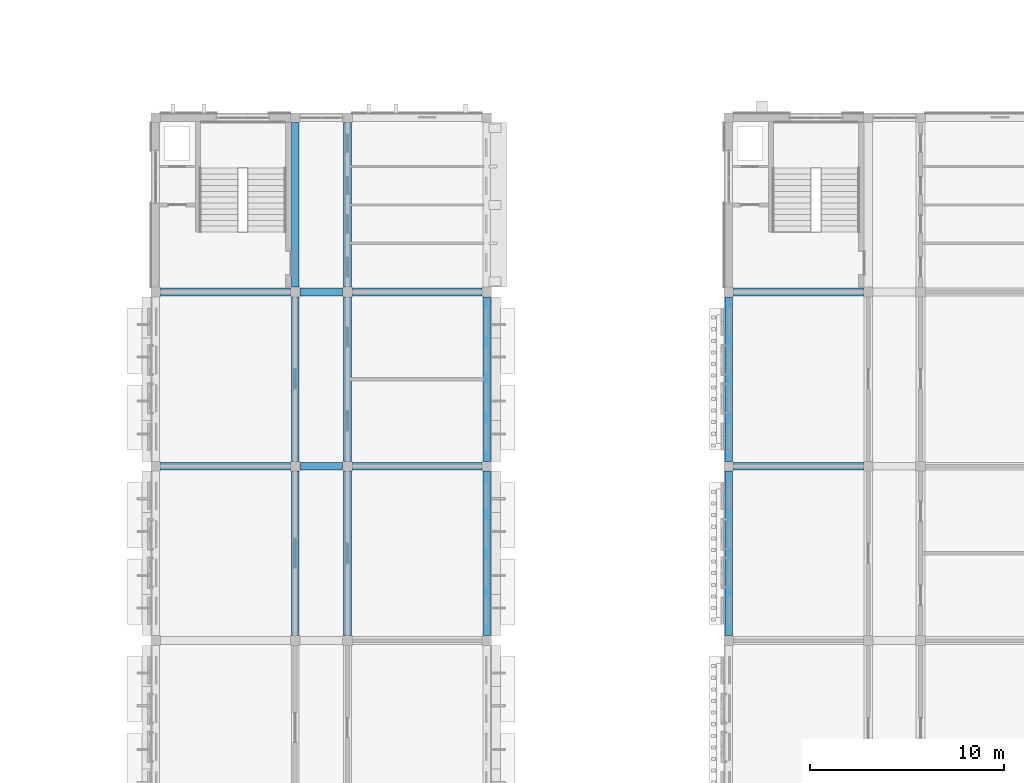
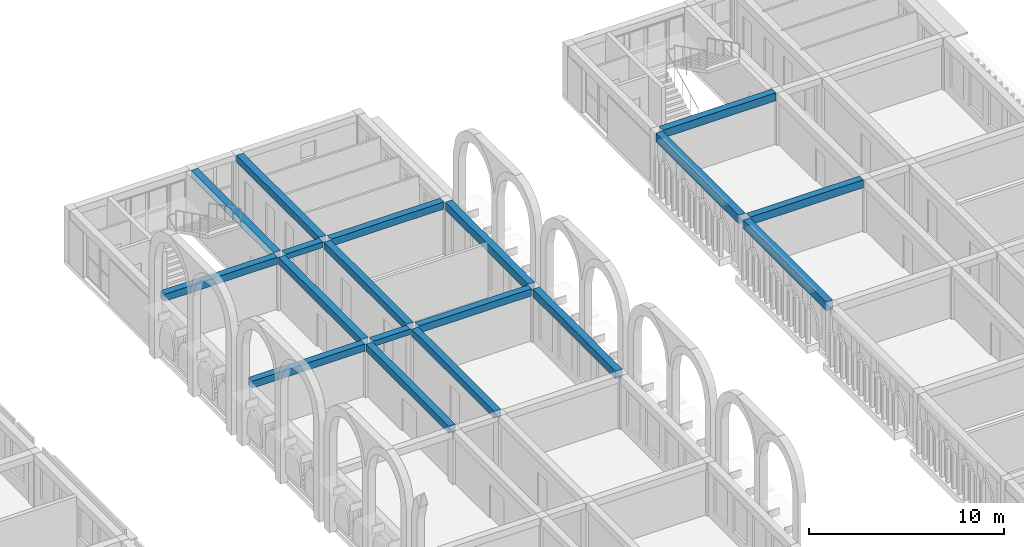
# One storey, part 20 of 70: 18 beams.
"""IFC4 building model written with IfcOpenShell, lengths in metres."""

from ifc_helpers import new_model, si_unit, direction, frame, origin, origin_2d, place, context, subcontext, project, spatial, rectangle, extrude, material, material_profile, profile_set, type_object, element, save


model = new_model("IFC4")

# Units and contexts
model_context = context("Model", 3, precision=1e-05, world=origin(), true_north=direction((0.0, 1.0)))
body_context = subcontext(model_context, "Body", "Model", "MODEL_VIEW")
ifc_project = project(units=[si_unit("LENGTHUNIT", "METRE"), si_unit("AREAUNIT", "SQUARE_METRE"), si_unit("VOLUMEUNIT", "CUBIC_METRE"), si_unit("PLANEANGLEUNIT", "RADIAN"), si_unit("MASSUNIT", "GRAM", prefix="KILO")], contexts=[model_context])

# Site, building, storey
site_placement = place(None, origin())
site = spatial("IfcSite", under=ifc_project, at=site_placement, CompositionType="ELEMENT")
building_placement = place(site_placement, origin())
building = spatial("IfcBuilding", under=site, at=building_placement, Name="Elbe Cascade School", CompositionType="ELEMENT")
storey_placement = place(building_placement, frame((0.0, 0.0, 8.10009765625)))
storey = spatial("IfcBuildingStorey", under=building, at=storey_placement, Name="L02", CompositionType="ELEMENT", Elevation=8.10009765625)

# Beams
ifc_material_1 = material(Name="Concrete C30/37", Category="concrete")
ifc_material_profile_1 = material_profile(ifc_material_1, rectangle(XDim=0.39990234375, YDim=0.35009765625, at=origin_2d()), Name="RC 400x350")
ifc_profile_set_1 = profile_set([ifc_material_profile_1], Name="Concrete C30/37")
beam_type_1 = type_object("IfcBeamType", Name="RC 400x350 beam", PredefinedType="BEAM", material=ifc_profile_set_1)
for number, where, z_axis, x_axis, name in (
    (1, (106.050048828125, 42.0, 3.1748046875), (1.0, 0.0, 0.0), (0.0, 1.0, 0.0), "RC 400x350 beam B3"),
    (2, (106.050048828125, 51.0, 3.1748046875), (1.0, 0.0, 0.0), (0.0, 1.0, 0.0), "RC 400x350 beam B3"),
):
    element("IfcBeam", number, at=place(storey_placement, frame(where, z_axis=z_axis, x_axis=x_axis)), inside=storey, type_object=beam_type_1, Name=name, PredefinedType="BEAM", context=body_context, shape_type="SweptSolid", body=[
        extrude(rectangle(XDim=0.39990234375, YDim=0.35009765625, at=origin_2d()), origin(), (0.0, 0.0, 1.0), 2.199951171875),
    ])
ifc_material_2 = material(Name="Concrete C30/37", Category="concrete")
ifc_material_profile_2 = material_profile(ifc_material_2, rectangle(XDim=0.39990234375, YDim=0.449951171875, at=origin_2d()), Name="RC 400x450")
ifc_profile_set_2 = profile_set([ifc_material_profile_2], Name="Concrete C30/37")
beam_type_2 = type_object("IfcBeamType", Name="RC 400x450 beam", PredefinedType="BEAM", material=ifc_profile_set_2)
for number, where, z_axis, x_axis, name in (
    (3, (105.800048828125, 33.25, 3.125), (0.0, 1.0, 0.0), (-1.0, 0.0, 0.0), "RC 400x450 beam B2"),
    (4, (105.800048828125, 42.25, 3.125), (0.0, 1.0, 0.0), (-1.0, 0.0, 0.0), "RC 400x450 beam B2"),
    (5, (105.800048828125, 51.25, 3.125), (0.0, 1.0, 0.0), (-1.0, 0.0, 0.0), "RC 400x450 beam B2"),
    (6, (108.5, 33.25, 3.125), (0.0, 1.0, 0.0), (-1.0, 0.0, 0.0), "RC 400x450 beam B2"),
    (7, (108.5, 42.25, 3.125), (0.0, 1.0, 0.0), (-1.0, 0.0, 0.0), "RC 400x450 beam B2"),
    (8, (108.5, 51.25, 3.125), (0.0, 1.0, 0.0), (-1.0, 0.0, 0.0), "RC 400x450 beam B2"),
):
    element("IfcBeam", number, at=place(storey_placement, frame(where, z_axis=z_axis, x_axis=x_axis)), inside=storey, type_object=beam_type_2, Name=name, PredefinedType="BEAM", context=body_context, shape_type="SweptSolid", body=[
        extrude(rectangle(XDim=0.39990234375, YDim=0.449951171875, at=origin_2d()), origin(), (0.0, 0.0, 1.0), 8.5),
    ])
for number, where, z_axis, x_axis, name in (
    (9, (98.85009765625, 42.0, 3.125), (1.0, 0.0, 0.0), (0.0, 1.0, 0.0), "RC 400x450 beam B2"),
    (10, (108.75, 42.0, 3.125), (1.0, 0.0, 0.0), (0.0, 1.0, 0.0), "RC 400x450 beam B2"),
    (11, (98.85009765625, 51.0, 3.125), (1.0, 0.0, 0.0), (0.0, 1.0, 0.0), "RC 400x450 beam B2"),
    (12, (108.75, 51.0, 3.125), (1.0, 0.0, 0.0), (0.0, 1.0, 0.0), "RC 400x450 beam B2"),
):
    element("IfcBeam", number, at=place(storey_placement, frame(where, z_axis=z_axis, x_axis=x_axis)), inside=storey, type_object=beam_type_2, Name=name, PredefinedType="BEAM", context=body_context, shape_type="SweptSolid", body=[
        extrude(rectangle(XDim=0.39990234375, YDim=0.449951171875, at=origin_2d()), origin(), (0.0, 0.0, 1.0), 6.699951171875),
    ])
ifc_material_3 = material(Name="Concrete C30/37", Category="concrete")
ifc_material_profile_3 = material_profile(ifc_material_3, rectangle(XDim=0.39990234375, YDim=0.5, at=origin_2d()), Name="RC 400x500")
ifc_profile_set_3 = profile_set([ifc_material_profile_3], Name="Concrete C30/37")
beam_type_3 = type_object("IfcBeamType", Name="RC 400x500 beam", PredefinedType="BEAM", material=ifc_profile_set_3)
for number, where, z_axis, x_axis, name in (
    (13, (115.699951171875, 33.25, 3.099853515625), (0.0, 1.0, 0.0), (-1.0, 0.0, 0.0), "RC 400x500 beam B1"),
    (14, (115.699951171875, 42.25, 3.099853515625), (0.0, 1.0, 0.0), (-1.0, 0.0, 0.0), "RC 400x500 beam B1"),
):
    element("IfcBeam", number, at=place(storey_placement, frame(where, z_axis=z_axis, x_axis=x_axis)), inside=storey, type_object=beam_type_3, Name=name, PredefinedType="BEAM", context=body_context, shape_type="SweptSolid", body=[
        extrude(rectangle(XDim=0.39990234375, YDim=0.5, at=origin_2d()), origin(), (0.0, 0.0, 1.0), 8.5),
    ])
for number, where, z_axis, x_axis, name in (
    (15, (128.449951171875, 42.0, 3.0498046875), (1.0, 0.0, 0.0), (0.0, 1.0, 0.0), "RC 400x500 beam B1"),
    (16, (128.449951171875, 51.0, 3.0498046875), (1.0, 0.0, 0.0), (0.0, 1.0, 0.0), "RC 400x500 beam B1"),
):
    element("IfcBeam", number, at=place(storey_placement, frame(where, z_axis=z_axis, x_axis=x_axis)), inside=storey, type_object=beam_type_3, Name=name, PredefinedType="BEAM", context=body_context, shape_type="SweptSolid", body=[
        extrude(rectangle(XDim=0.39990234375, YDim=0.5, at=origin_2d()), origin(), (0.0, 0.0, 1.0), 6.699951171875),
    ])
ifc_material_4 = material(Name="Concrete C30/37", Category="concrete")
ifc_material_profile_4 = material_profile(ifc_material_4, rectangle(XDim=0.39990234375, YDim=0.550048828125, at=origin_2d()), Name="RC 400x550")
ifc_profile_set_4 = profile_set([ifc_material_profile_4], Name="Concrete C30/37")
beam_type_4 = type_object("IfcBeamType", Name="RC 400x550 beam", PredefinedType="BEAM", material=ifc_profile_set_4)
for number, where, z_axis, x_axis, name in (
    (17, (128.199951171875, 33.25, 3.02490234375), (0.0, 1.0, 0.0), (-1.0, 0.0, 0.0), "RC 400x550 beam B4"),
    (18, (128.199951171875, 42.25, 3.02490234375), (0.0, 1.0, 0.0), (-1.0, 0.0, 0.0), "RC 400x550 beam B4"),
):
    element("IfcBeam", number, at=place(storey_placement, frame(where, z_axis=z_axis, x_axis=x_axis)), inside=storey, type_object=beam_type_4, Name=name, PredefinedType="BEAM", context=body_context, shape_type="SweptSolid", body=[
        extrude(rectangle(XDim=0.39990234375, YDim=0.550048828125, at=origin_2d()), origin(), (0.0, 0.0, 1.0), 8.5),
    ])

save(model, "model.ifc")
